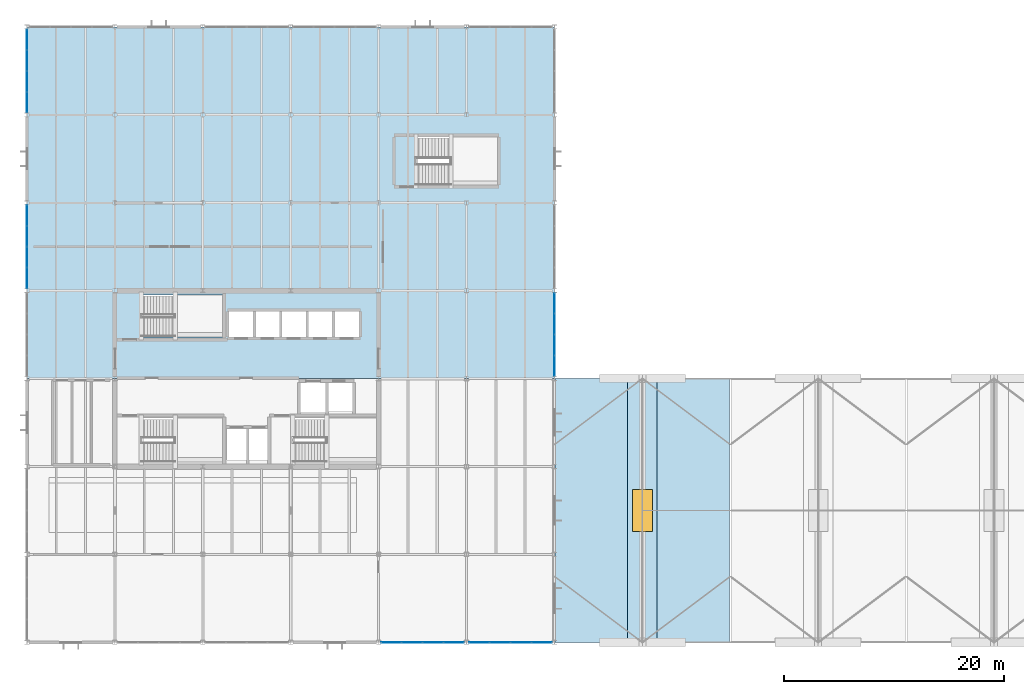
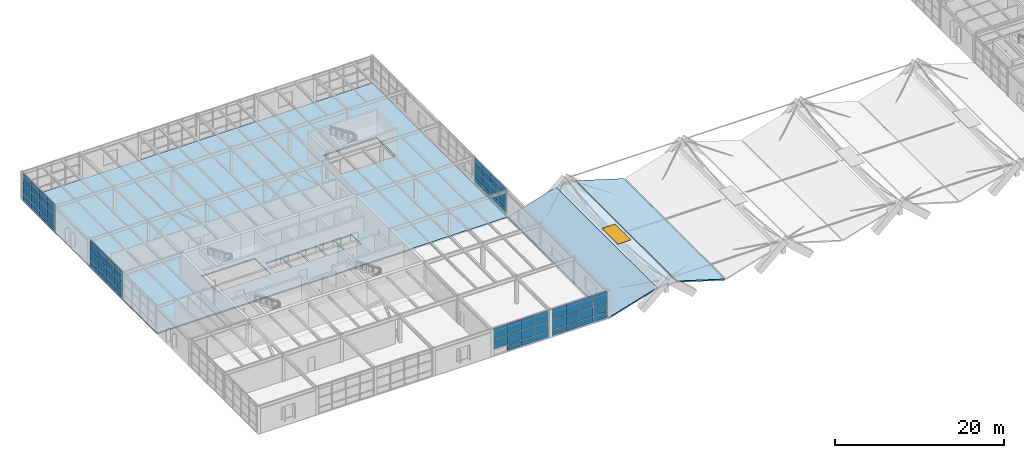
# One storey, part 32 of 50: 59 plates, 4 slabs, 1 window, 1 opening, 5 elements without a shape of their own.
"""IFC4 building model written with IfcOpenShell, lengths in metres."""

from ifc_helpers import new_model, si_unit, direction, frame, origin, origin_2d, place, context, subcontext, project, spatial, polyline, rectangle, outline, extrude, material, layer, layer_set, type_object, element, fill, aggregate, save


model = new_model("IFC4")

# Units and contexts
model_context = context("Model", 3, precision=1e-05, world=origin(), true_north=direction((0.0, 1.0)))
body_context = subcontext(model_context, "Body", "Model", "MODEL_VIEW")
ifc_project = project(units=[si_unit("LENGTHUNIT", "METRE"), si_unit("AREAUNIT", "SQUARE_METRE"), si_unit("VOLUMEUNIT", "CUBIC_METRE"), si_unit("PLANEANGLEUNIT", "RADIAN"), si_unit("MASSUNIT", "GRAM", prefix="KILO")], contexts=[model_context])

# Site, building, storey
site_placement = place(None, origin())
site = spatial("IfcSite", under=ifc_project, at=site_placement, CompositionType="ELEMENT")
building_placement = place(site_placement, origin())
building = spatial("IfcBuilding", under=site, at=building_placement, Name="Varnela Railside Interchange", CompositionType="ELEMENT")
storey_placement = place(building_placement, frame((0.0, 0.0, 15.39990234375)))
storey = spatial("IfcBuildingStorey", under=building, at=storey_placement, Name="L03", CompositionType="ELEMENT", Elevation=15.39990234375)

# Curtain wall, plates
ifc_material_1 = material(Name="Aluminium 6063-T6", Category="aluminium")
ifc_layer_1 = layer(ifc_material_1, 0.035888671875)
ifc_layer_set_1 = layer_set([ifc_layer_1], Name="Aluminium 6063-T6")
curtain_wall_type = type_object("IfcCurtainWallType", Name="Operations Wing Facade Curtain Wall CW-03", PredefinedType="USERDEFINED", material=ifc_layer_set_1)
curtain_wall_1_placement = place(storey_placement, origin())
curtain_wall_1 = element("IfcCurtainWall", 1, at=curtain_wall_1_placement, inside=storey, type_object=curtain_wall_type, Name="Curtain Wall CW-03 (L03) (CW-076)", ObjectType="CURTAIN WALL", PredefinedType="USERDEFINED")
ifc_material_2 = material(Name="Glass laminated double", Category="glass")
ifc_layer_2 = layer(ifc_material_2, 0.0400390625)
ifc_layer_set_2 = layer_set([ifc_layer_2], Name="Glass laminated double")
plate_type = type_object("IfcPlateType", Name="Acoustic Laminated Vision GL-03", PredefinedType="CURTAIN_PANEL", material=ifc_layer_set_2)
plate_1_placement = place(storey_placement, frame((50.84521484375, 38.0, 0.06005859375), z_axis=(0.0, 0.0, 1.0), x_axis=(-1.0, 0.0, 0.0)))
plate_1 = element("IfcPlate", 2, at=plate_1_placement, type_object=plate_type, Name="CW-03 panel 1.1", PredefinedType="CURTAIN_PANEL", context=body_context, shape_type="SweptSolid", body=[
    extrude(rectangle(XDim=1.816650390625, YDim=0.0400390625, at=origin_2d()), origin(), (0.0, 0.0, 1.0), 0.81005859375),
])
plate_2_placement = place(storey_placement, frame((50.84521484375, 38.0, 0.93017578125), z_axis=(0.0, 0.0, 1.0), x_axis=(-1.0, 0.0, 0.0)))
plate_2 = element("IfcPlate", 3, at=plate_2_placement, type_object=plate_type, Name="CW-03 panel 1.2", PredefinedType="CURTAIN_PANEL", context=body_context, shape_type="SweptSolid", body=[
    extrude(rectangle(XDim=1.816650390625, YDim=0.0400390625, at=origin_2d()), origin(), (0.0, 0.0, 1.0), 1.360107421875),
])
plate_3_placement = place(storey_placement, frame((50.84521484375, 38.0, 2.35009765625), z_axis=(0.0, 0.0, 1.0), x_axis=(-1.0, 0.0, 0.0)))
plate_3 = element("IfcPlate", 4, at=plate_3_placement, type_object=plate_type, Name="CW-03 panel 1.3", PredefinedType="CURTAIN_PANEL", context=body_context, shape_type="SweptSolid", body=[
    extrude(rectangle(XDim=1.816650390625, YDim=0.0400390625, at=origin_2d()), origin(), (0.0, 0.0, 1.0), 1.590087890625),
])
plate_4_placement = place(storey_placement, frame((48.953369140625, 38.0, 0.06005859375), z_axis=(0.0, 0.0, 1.0), x_axis=(-1.0, 0.0, 0.0)))
plate_4 = element("IfcPlate", 5, at=plate_4_placement, type_object=plate_type, Name="CW-03 panel 2.1", PredefinedType="CURTAIN_PANEL", context=body_context, shape_type="SweptSolid", body=[
    extrude(rectangle(XDim=1.8466796875, YDim=0.0400390625, at=origin_2d()), origin(), (0.0, 0.0, 1.0), 0.81005859375),
])
plate_5_placement = place(storey_placement, frame((48.953369140625, 38.0, 0.93017578125), z_axis=(0.0, 0.0, 1.0), x_axis=(-1.0, 0.0, 0.0)))
plate_5 = element("IfcPlate", 6, at=plate_5_placement, type_object=plate_type, Name="CW-03 panel 2.2", PredefinedType="CURTAIN_PANEL", context=body_context, shape_type="SweptSolid", body=[
    extrude(rectangle(XDim=1.8466796875, YDim=0.0400390625, at=origin_2d()), origin(), (0.0, 0.0, 1.0), 1.360107421875),
])
plate_6_placement = place(storey_placement, frame((48.953369140625, 38.0, 2.35009765625), z_axis=(0.0, 0.0, 1.0), x_axis=(-1.0, 0.0, 0.0)))
plate_6 = element("IfcPlate", 7, at=plate_6_placement, type_object=plate_type, Name="CW-03 panel 2.3", PredefinedType="CURTAIN_PANEL", context=body_context, shape_type="SweptSolid", body=[
    extrude(rectangle(XDim=1.8466796875, YDim=0.0400390625, at=origin_2d()), origin(), (0.0, 0.0, 1.0), 1.590087890625),
])
plate_7_placement = place(storey_placement, frame((47.046630859375, 38.0, 0.06005859375), z_axis=(0.0, 0.0, 1.0), x_axis=(-1.0, 0.0, 0.0)))
plate_7 = element("IfcPlate", 8, at=plate_7_placement, type_object=plate_type, Name="CW-03 panel 3.1", PredefinedType="CURTAIN_PANEL", context=body_context, shape_type="SweptSolid", body=[
    extrude(rectangle(XDim=1.8466796875, YDim=0.0400390625, at=origin_2d()), origin(), (0.0, 0.0, 1.0), 0.81005859375),
])
plate_8_placement = place(storey_placement, frame((47.046630859375, 38.0, 0.93017578125), z_axis=(0.0, 0.0, 1.0), x_axis=(-1.0, 0.0, 0.0)))
plate_8 = element("IfcPlate", 9, at=plate_8_placement, type_object=plate_type, Name="CW-03 panel 3.2", PredefinedType="CURTAIN_PANEL", context=body_context, shape_type="SweptSolid", body=[
    extrude(rectangle(XDim=1.8466796875, YDim=0.0400390625, at=origin_2d()), origin(), (0.0, 0.0, 1.0), 1.360107421875),
])
plate_9_placement = place(storey_placement, frame((47.046630859375, 38.0, 2.35009765625), z_axis=(0.0, 0.0, 1.0), x_axis=(-1.0, 0.0, 0.0)))
plate_9 = element("IfcPlate", 10, at=plate_9_placement, type_object=plate_type, Name="CW-03 panel 3.3", PredefinedType="CURTAIN_PANEL", context=body_context, shape_type="SweptSolid", body=[
    extrude(rectangle(XDim=1.8466796875, YDim=0.0400390625, at=origin_2d()), origin(), (0.0, 0.0, 1.0), 1.590087890625),
])
plate_10_placement = place(storey_placement, frame((45.15478515625, 38.0, 0.06005859375), z_axis=(0.0, 0.0, 1.0), x_axis=(-1.0, 0.0, 0.0)))
plate_10 = element("IfcPlate", 11, at=plate_10_placement, type_object=plate_type, Name="CW-03 panel 4.1", PredefinedType="CURTAIN_PANEL", context=body_context, shape_type="SweptSolid", body=[
    extrude(rectangle(XDim=1.816650390625, YDim=0.0400390625, at=origin_2d()), origin(), (0.0, 0.0, 1.0), 0.81005859375),
])
plate_11_placement = place(storey_placement, frame((45.15478515625, 38.0, 0.93017578125), z_axis=(0.0, 0.0, 1.0), x_axis=(-1.0, 0.0, 0.0)))
plate_11 = element("IfcPlate", 12, at=plate_11_placement, type_object=plate_type, Name="CW-03 panel 4.2", PredefinedType="CURTAIN_PANEL", context=body_context, shape_type="SweptSolid", body=[
    extrude(rectangle(XDim=1.816650390625, YDim=0.0400390625, at=origin_2d()), origin(), (0.0, 0.0, 1.0), 1.360107421875),
])
plate_12_placement = place(storey_placement, frame((45.15478515625, 38.0, 2.35009765625), z_axis=(0.0, 0.0, 1.0), x_axis=(-1.0, 0.0, 0.0)))
plate_12 = element("IfcPlate", 13, at=plate_12_placement, type_object=plate_type, Name="CW-03 panel 4.3", PredefinedType="CURTAIN_PANEL", context=body_context, shape_type="SweptSolid", body=[
    extrude(rectangle(XDim=1.816650390625, YDim=0.0400390625, at=origin_2d()), origin(), (0.0, 0.0, 1.0), 1.590087890625),
])
aggregate(curtain_wall_1, [plate_1, plate_2, plate_3, plate_4, plate_5, plate_6, plate_7, plate_8, plate_9, plate_10, plate_11, plate_12])

curtain_wall_2_placement = place(storey_placement, origin())
curtain_wall_2 = element("IfcCurtainWall", 14, at=curtain_wall_2_placement, inside=storey, type_object=curtain_wall_type, Name="Curtain Wall CW-03 (L03) (CW-084)", ObjectType="CURTAIN WALL", PredefinedType="USERDEFINED")
plate_13_placement = place(storey_placement, frame((42.84521484375, 38.0, 0.06005859375), z_axis=(0.0, 0.0, 1.0), x_axis=(-1.0, 0.0, 0.0)))
plate_13 = element("IfcPlate", 15, at=plate_13_placement, type_object=plate_type, Name="CW-03 panel 1.1", PredefinedType="CURTAIN_PANEL", context=body_context, shape_type="SweptSolid", body=[
    extrude(rectangle(XDim=1.816650390625, YDim=0.0400390625, at=origin_2d()), origin(), (0.0, 0.0, 1.0), 0.81005859375),
])
plate_14_placement = place(storey_placement, frame((42.84521484375, 38.0, 0.93017578125), z_axis=(0.0, 0.0, 1.0), x_axis=(-1.0, 0.0, 0.0)))
plate_14 = element("IfcPlate", 16, at=plate_14_placement, type_object=plate_type, Name="CW-03 panel 1.2", PredefinedType="CURTAIN_PANEL", context=body_context, shape_type="SweptSolid", body=[
    extrude(rectangle(XDim=1.816650390625, YDim=0.0400390625, at=origin_2d()), origin(), (0.0, 0.0, 1.0), 1.360107421875),
])
plate_15_placement = place(storey_placement, frame((42.84521484375, 38.0, 2.35009765625), z_axis=(0.0, 0.0, 1.0), x_axis=(-1.0, 0.0, 0.0)))
plate_15 = element("IfcPlate", 17, at=plate_15_placement, type_object=plate_type, Name="CW-03 panel 1.3", PredefinedType="CURTAIN_PANEL", context=body_context, shape_type="SweptSolid", body=[
    extrude(rectangle(XDim=1.816650390625, YDim=0.0400390625, at=origin_2d()), origin(), (0.0, 0.0, 1.0), 1.590087890625),
])
plate_16_placement = place(storey_placement, frame((40.953369140625, 38.0, 0.06005859375), z_axis=(0.0, 0.0, 1.0), x_axis=(-1.0, 0.0, 0.0)))
plate_16 = element("IfcPlate", 18, at=plate_16_placement, type_object=plate_type, Name="CW-03 panel 2.1", PredefinedType="CURTAIN_PANEL", context=body_context, shape_type="SweptSolid", body=[
    extrude(rectangle(XDim=1.8466796875, YDim=0.0400390625, at=origin_2d()), origin(), (0.0, 0.0, 1.0), 0.81005859375),
])
plate_17_placement = place(storey_placement, frame((40.953369140625, 38.0, 0.93017578125), z_axis=(0.0, 0.0, 1.0), x_axis=(-1.0, 0.0, 0.0)))
plate_17 = element("IfcPlate", 19, at=plate_17_placement, type_object=plate_type, Name="CW-03 panel 2.2", PredefinedType="CURTAIN_PANEL", context=body_context, shape_type="SweptSolid", body=[
    extrude(rectangle(XDim=1.8466796875, YDim=0.0400390625, at=origin_2d()), origin(), (0.0, 0.0, 1.0), 1.360107421875),
])
plate_18_placement = place(storey_placement, frame((40.953369140625, 38.0, 2.35009765625), z_axis=(0.0, 0.0, 1.0), x_axis=(-1.0, 0.0, 0.0)))
plate_18 = element("IfcPlate", 20, at=plate_18_placement, type_object=plate_type, Name="CW-03 panel 2.3", PredefinedType="CURTAIN_PANEL", context=body_context, shape_type="SweptSolid", body=[
    extrude(rectangle(XDim=1.8466796875, YDim=0.0400390625, at=origin_2d()), origin(), (0.0, 0.0, 1.0), 1.590087890625),
])
plate_19_placement = place(storey_placement, frame((39.046630859375, 38.0, 0.06005859375), z_axis=(0.0, 0.0, 1.0), x_axis=(-1.0, 0.0, 0.0)))
plate_19 = element("IfcPlate", 21, at=plate_19_placement, type_object=plate_type, Name="CW-03 panel 3.1", PredefinedType="CURTAIN_PANEL", context=body_context, shape_type="SweptSolid", body=[
    extrude(rectangle(XDim=1.8466796875, YDim=0.0400390625, at=origin_2d()), origin(), (0.0, 0.0, 1.0), 0.81005859375),
])
plate_20_placement = place(storey_placement, frame((39.046630859375, 38.0, 0.93017578125), z_axis=(0.0, 0.0, 1.0), x_axis=(-1.0, 0.0, 0.0)))
plate_20 = element("IfcPlate", 22, at=plate_20_placement, type_object=plate_type, Name="CW-03 panel 3.2", PredefinedType="CURTAIN_PANEL", context=body_context, shape_type="SweptSolid", body=[
    extrude(rectangle(XDim=1.8466796875, YDim=0.0400390625, at=origin_2d()), origin(), (0.0, 0.0, 1.0), 1.360107421875),
])
plate_21_placement = place(storey_placement, frame((39.046630859375, 38.0, 2.35009765625), z_axis=(0.0, 0.0, 1.0), x_axis=(-1.0, 0.0, 0.0)))
plate_21 = element("IfcPlate", 23, at=plate_21_placement, type_object=plate_type, Name="CW-03 panel 3.3", PredefinedType="CURTAIN_PANEL", context=body_context, shape_type="SweptSolid", body=[
    extrude(rectangle(XDim=1.8466796875, YDim=0.0400390625, at=origin_2d()), origin(), (0.0, 0.0, 1.0), 1.590087890625),
])
plate_22_placement = place(storey_placement, frame((37.15478515625, 38.0, 0.93017578125), z_axis=(0.0, 0.0, 1.0), x_axis=(-1.0, 0.0, 0.0)))
plate_22 = element("IfcPlate", 24, at=plate_22_placement, type_object=plate_type, Name="CW-03 panel 4.2", PredefinedType="CURTAIN_PANEL", context=body_context, shape_type="SweptSolid", body=[
    extrude(rectangle(XDim=1.816650390625, YDim=0.0400390625, at=origin_2d()), origin(), (0.0, 0.0, 1.0), 1.360107421875),
])
plate_23_placement = place(storey_placement, frame((37.15478515625, 38.0, 2.35009765625), z_axis=(0.0, 0.0, 1.0), x_axis=(-1.0, 0.0, 0.0)))
plate_23 = element("IfcPlate", 25, at=plate_23_placement, type_object=plate_type, Name="CW-03 panel 4.3", PredefinedType="CURTAIN_PANEL", context=body_context, shape_type="SweptSolid", body=[
    extrude(rectangle(XDim=1.816650390625, YDim=0.0400390625, at=origin_2d()), origin(), (0.0, 0.0, 1.0), 1.590087890625),
])
aggregate(curtain_wall_2, [plate_13, plate_14, plate_15, plate_16, plate_17, plate_18, plate_19, plate_20, plate_21, plate_22, plate_23])

curtain_wall_3_placement = place(storey_placement, origin())
curtain_wall_3 = element("IfcCurtainWall", 26, at=curtain_wall_3_placement, inside=storey, type_object=curtain_wall_type, Name="Curtain Wall CW-03 (L03) (CW-078)", ObjectType="CURTAIN WALL", PredefinedType="USERDEFINED")
plate_24_placement = place(storey_placement, frame((4.0, 71.153076171875, 0.06005859375), z_axis=(0.0, 0.0, 1.0), x_axis=(0.0, 1.0, 0.0)))
plate_24 = element("IfcPlate", 27, at=plate_24_placement, type_object=plate_type, Name="CW-03 panel 1.1", PredefinedType="CURTAIN_PANEL", context=body_context, shape_type="SweptSolid", body=[
    extrude(rectangle(XDim=1.818115234375, YDim=0.0400390625, at=origin_2d()), origin(), (0.0, 0.0, 1.0), 0.81005859375),
])
plate_25_placement = place(storey_placement, frame((4.0, 71.153076171875, 0.93017578125), z_axis=(0.0, 0.0, 1.0), x_axis=(0.0, 1.0, 0.0)))
plate_25 = element("IfcPlate", 28, at=plate_25_placement, type_object=plate_type, Name="CW-03 panel 1.2", PredefinedType="CURTAIN_PANEL", context=body_context, shape_type="SweptSolid", body=[
    extrude(rectangle(XDim=1.818115234375, YDim=0.0400390625, at=origin_2d()), origin(), (0.0, 0.0, 1.0), 1.360107421875),
])
plate_26_placement = place(storey_placement, frame((4.0, 71.153076171875, 2.35009765625), z_axis=(0.0, 0.0, 1.0), x_axis=(0.0, 1.0, 0.0)))
plate_26 = element("IfcPlate", 29, at=plate_26_placement, type_object=plate_type, Name="CW-03 panel 1.3", PredefinedType="CURTAIN_PANEL", context=body_context, shape_type="SweptSolid", body=[
    extrude(rectangle(XDim=1.818115234375, YDim=0.0400390625, at=origin_2d()), origin(), (0.0, 0.0, 1.0), 1.590087890625),
])
plate_27_placement = place(storey_placement, frame((4.0, 73.0458984375, 0.06005859375), z_axis=(0.0, 0.0, 1.0), x_axis=(0.0, 1.0, 0.0)))
plate_27 = element("IfcPlate", 30, at=plate_27_placement, type_object=plate_type, Name="CW-03 panel 2.1", PredefinedType="CURTAIN_PANEL", context=body_context, shape_type="SweptSolid", body=[
    extrude(rectangle(XDim=1.847900390625, YDim=0.0400390625, at=origin_2d()), origin(), (0.0, 0.0, 1.0), 0.81005859375),
])
plate_28_placement = place(storey_placement, frame((4.0, 73.0458984375, 0.93017578125), z_axis=(0.0, 0.0, 1.0), x_axis=(0.0, 1.0, 0.0)))
plate_28 = element("IfcPlate", 31, at=plate_28_placement, type_object=plate_type, Name="CW-03 panel 2.2", PredefinedType="CURTAIN_PANEL", context=body_context, shape_type="SweptSolid", body=[
    extrude(rectangle(XDim=1.847900390625, YDim=0.0400390625, at=origin_2d()), origin(), (0.0, 0.0, 1.0), 1.360107421875),
])
plate_29_placement = place(storey_placement, frame((4.0, 73.0458984375, 2.35009765625), z_axis=(0.0, 0.0, 1.0), x_axis=(0.0, 1.0, 0.0)))
plate_29 = element("IfcPlate", 32, at=plate_29_placement, type_object=plate_type, Name="CW-03 panel 2.3", PredefinedType="CURTAIN_PANEL", context=body_context, shape_type="SweptSolid", body=[
    extrude(rectangle(XDim=1.847900390625, YDim=0.0400390625, at=origin_2d()), origin(), (0.0, 0.0, 1.0), 1.590087890625),
])
plate_30_placement = place(storey_placement, frame((4.0, 74.9541015625, 0.06005859375), z_axis=(0.0, 0.0, 1.0), x_axis=(0.0, 1.0, 0.0)))
plate_30 = element("IfcPlate", 33, at=plate_30_placement, type_object=plate_type, Name="CW-03 panel 3.1", PredefinedType="CURTAIN_PANEL", context=body_context, shape_type="SweptSolid", body=[
    extrude(rectangle(XDim=1.847900390625, YDim=0.0400390625, at=origin_2d()), origin(), (0.0, 0.0, 1.0), 0.81005859375),
])
plate_31_placement = place(storey_placement, frame((4.0, 74.9541015625, 0.93017578125), z_axis=(0.0, 0.0, 1.0), x_axis=(0.0, 1.0, 0.0)))
plate_31 = element("IfcPlate", 34, at=plate_31_placement, type_object=plate_type, Name="CW-03 panel 3.2", PredefinedType="CURTAIN_PANEL", context=body_context, shape_type="SweptSolid", body=[
    extrude(rectangle(XDim=1.847900390625, YDim=0.0400390625, at=origin_2d()), origin(), (0.0, 0.0, 1.0), 1.360107421875),
])
plate_32_placement = place(storey_placement, frame((4.0, 74.9541015625, 2.35009765625), z_axis=(0.0, 0.0, 1.0), x_axis=(0.0, 1.0, 0.0)))
plate_32 = element("IfcPlate", 35, at=plate_32_placement, type_object=plate_type, Name="CW-03 panel 3.3", PredefinedType="CURTAIN_PANEL", context=body_context, shape_type="SweptSolid", body=[
    extrude(rectangle(XDim=1.847900390625, YDim=0.0400390625, at=origin_2d()), origin(), (0.0, 0.0, 1.0), 1.590087890625),
])
plate_33_placement = place(storey_placement, frame((4.0, 76.846923828125, 0.06005859375), z_axis=(0.0, 0.0, 1.0), x_axis=(0.0, 1.0, 0.0)))
plate_33 = element("IfcPlate", 36, at=plate_33_placement, type_object=plate_type, Name="CW-03 panel 4.1", PredefinedType="CURTAIN_PANEL", context=body_context, shape_type="SweptSolid", body=[
    extrude(rectangle(XDim=1.818115234375, YDim=0.0400390625, at=origin_2d()), origin(), (0.0, 0.0, 1.0), 0.81005859375),
])
plate_34_placement = place(storey_placement, frame((4.0, 76.846923828125, 0.93017578125), z_axis=(0.0, 0.0, 1.0), x_axis=(0.0, 1.0, 0.0)))
plate_34 = element("IfcPlate", 37, at=plate_34_placement, type_object=plate_type, Name="CW-03 panel 4.2", PredefinedType="CURTAIN_PANEL", context=body_context, shape_type="SweptSolid", body=[
    extrude(rectangle(XDim=1.818115234375, YDim=0.0400390625, at=origin_2d()), origin(), (0.0, 0.0, 1.0), 1.360107421875),
])
plate_35_placement = place(storey_placement, frame((4.0, 76.846923828125, 2.35009765625), z_axis=(0.0, 0.0, 1.0), x_axis=(0.0, 1.0, 0.0)))
plate_35 = element("IfcPlate", 38, at=plate_35_placement, type_object=plate_type, Name="CW-03 panel 4.3", PredefinedType="CURTAIN_PANEL", context=body_context, shape_type="SweptSolid", body=[
    extrude(rectangle(XDim=1.818115234375, YDim=0.0400390625, at=origin_2d()), origin(), (0.0, 0.0, 1.0), 1.590087890625),
])
aggregate(curtain_wall_3, [plate_24, plate_25, plate_26, plate_27, plate_28, plate_29, plate_30, plate_31, plate_32, plate_33, plate_34, plate_35])

curtain_wall_4_placement = place(storey_placement, origin())
curtain_wall_4 = element("IfcCurtainWall", 39, at=curtain_wall_4_placement, inside=storey, type_object=curtain_wall_type, Name="Curtain Wall CW-03 (L03) (CW-079)", ObjectType="CURTAIN WALL", PredefinedType="USERDEFINED")
plate_36_placement = place(storey_placement, frame((4.0, 87.153076171875, 0.06005859375), z_axis=(0.0, 0.0, 1.0), x_axis=(0.0, 1.0, 0.0)))
plate_36 = element("IfcPlate", 40, at=plate_36_placement, type_object=plate_type, Name="CW-03 panel 1.1", PredefinedType="CURTAIN_PANEL", context=body_context, shape_type="SweptSolid", body=[
    extrude(rectangle(XDim=1.818115234375, YDim=0.0400390625, at=origin_2d()), origin(), (0.0, 0.0, 1.0), 0.81005859375),
])
plate_37_placement = place(storey_placement, frame((4.0, 87.153076171875, 0.93017578125), z_axis=(0.0, 0.0, 1.0), x_axis=(0.0, 1.0, 0.0)))
plate_37 = element("IfcPlate", 41, at=plate_37_placement, type_object=plate_type, Name="CW-03 panel 1.2", PredefinedType="CURTAIN_PANEL", context=body_context, shape_type="SweptSolid", body=[
    extrude(rectangle(XDim=1.818115234375, YDim=0.0400390625, at=origin_2d()), origin(), (0.0, 0.0, 1.0), 1.360107421875),
])
plate_38_placement = place(storey_placement, frame((4.0, 87.153076171875, 2.35009765625), z_axis=(0.0, 0.0, 1.0), x_axis=(0.0, 1.0, 0.0)))
plate_38 = element("IfcPlate", 42, at=plate_38_placement, type_object=plate_type, Name="CW-03 panel 1.3", PredefinedType="CURTAIN_PANEL", context=body_context, shape_type="SweptSolid", body=[
    extrude(rectangle(XDim=1.818115234375, YDim=0.0400390625, at=origin_2d()), origin(), (0.0, 0.0, 1.0), 1.590087890625),
])
plate_39_placement = place(storey_placement, frame((4.0, 89.0458984375, 0.06005859375), z_axis=(0.0, 0.0, 1.0), x_axis=(0.0, 1.0, 0.0)))
plate_39 = element("IfcPlate", 43, at=plate_39_placement, type_object=plate_type, Name="CW-03 panel 2.1", PredefinedType="CURTAIN_PANEL", context=body_context, shape_type="SweptSolid", body=[
    extrude(rectangle(XDim=1.847900390625, YDim=0.0400390625, at=origin_2d()), origin(), (0.0, 0.0, 1.0), 0.81005859375),
])
plate_40_placement = place(storey_placement, frame((4.0, 89.0458984375, 0.93017578125), z_axis=(0.0, 0.0, 1.0), x_axis=(0.0, 1.0, 0.0)))
plate_40 = element("IfcPlate", 44, at=plate_40_placement, type_object=plate_type, Name="CW-03 panel 2.2", PredefinedType="CURTAIN_PANEL", context=body_context, shape_type="SweptSolid", body=[
    extrude(rectangle(XDim=1.847900390625, YDim=0.0400390625, at=origin_2d()), origin(), (0.0, 0.0, 1.0), 1.360107421875),
])
plate_41_placement = place(storey_placement, frame((4.0, 89.0458984375, 2.35009765625), z_axis=(0.0, 0.0, 1.0), x_axis=(0.0, 1.0, 0.0)))
plate_41 = element("IfcPlate", 45, at=plate_41_placement, type_object=plate_type, Name="CW-03 panel 2.3", PredefinedType="CURTAIN_PANEL", context=body_context, shape_type="SweptSolid", body=[
    extrude(rectangle(XDim=1.847900390625, YDim=0.0400390625, at=origin_2d()), origin(), (0.0, 0.0, 1.0), 1.590087890625),
])
plate_42_placement = place(storey_placement, frame((4.0, 90.9541015625, 0.06005859375), z_axis=(0.0, 0.0, 1.0), x_axis=(0.0, 1.0, 0.0)))
plate_42 = element("IfcPlate", 46, at=plate_42_placement, type_object=plate_type, Name="CW-03 panel 3.1", PredefinedType="CURTAIN_PANEL", context=body_context, shape_type="SweptSolid", body=[
    extrude(rectangle(XDim=1.847900390625, YDim=0.0400390625, at=origin_2d()), origin(), (0.0, 0.0, 1.0), 0.81005859375),
])
plate_43_placement = place(storey_placement, frame((4.0, 90.9541015625, 0.93017578125), z_axis=(0.0, 0.0, 1.0), x_axis=(0.0, 1.0, 0.0)))
plate_43 = element("IfcPlate", 47, at=plate_43_placement, type_object=plate_type, Name="CW-03 panel 3.2", PredefinedType="CURTAIN_PANEL", context=body_context, shape_type="SweptSolid", body=[
    extrude(rectangle(XDim=1.847900390625, YDim=0.0400390625, at=origin_2d()), origin(), (0.0, 0.0, 1.0), 1.360107421875),
])
plate_44_placement = place(storey_placement, frame((4.0, 90.9541015625, 2.35009765625), z_axis=(0.0, 0.0, 1.0), x_axis=(0.0, 1.0, 0.0)))
plate_44 = element("IfcPlate", 48, at=plate_44_placement, type_object=plate_type, Name="CW-03 panel 3.3", PredefinedType="CURTAIN_PANEL", context=body_context, shape_type="SweptSolid", body=[
    extrude(rectangle(XDim=1.847900390625, YDim=0.0400390625, at=origin_2d()), origin(), (0.0, 0.0, 1.0), 1.590087890625),
])
plate_45_placement = place(storey_placement, frame((4.0, 92.846923828125, 0.06005859375), z_axis=(0.0, 0.0, 1.0), x_axis=(0.0, 1.0, 0.0)))
plate_45 = element("IfcPlate", 49, at=plate_45_placement, type_object=plate_type, Name="CW-03 panel 4.1", PredefinedType="CURTAIN_PANEL", context=body_context, shape_type="SweptSolid", body=[
    extrude(rectangle(XDim=1.818115234375, YDim=0.0400390625, at=origin_2d()), origin(), (0.0, 0.0, 1.0), 0.81005859375),
])
plate_46_placement = place(storey_placement, frame((4.0, 92.846923828125, 0.93017578125), z_axis=(0.0, 0.0, 1.0), x_axis=(0.0, 1.0, 0.0)))
plate_46 = element("IfcPlate", 50, at=plate_46_placement, type_object=plate_type, Name="CW-03 panel 4.2", PredefinedType="CURTAIN_PANEL", context=body_context, shape_type="SweptSolid", body=[
    extrude(rectangle(XDim=1.818115234375, YDim=0.0400390625, at=origin_2d()), origin(), (0.0, 0.0, 1.0), 1.360107421875),
])
plate_47_placement = place(storey_placement, frame((4.0, 92.846923828125, 2.35009765625), z_axis=(0.0, 0.0, 1.0), x_axis=(0.0, 1.0, 0.0)))
plate_47 = element("IfcPlate", 51, at=plate_47_placement, type_object=plate_type, Name="CW-03 panel 4.3", PredefinedType="CURTAIN_PANEL", context=body_context, shape_type="SweptSolid", body=[
    extrude(rectangle(XDim=1.818115234375, YDim=0.0400390625, at=origin_2d()), origin(), (0.0, 0.0, 1.0), 1.590087890625),
])
aggregate(curtain_wall_4, [plate_36, plate_37, plate_38, plate_39, plate_40, plate_41, plate_42, plate_43, plate_44, plate_45, plate_46, plate_47])

curtain_wall_5_placement = place(storey_placement, origin())
curtain_wall_5 = element("IfcCurtainWall", 52, at=curtain_wall_5_placement, inside=storey, type_object=curtain_wall_type, Name="Curtain Wall CW-03 (L03) (CW-087)", ObjectType="CURTAIN WALL", PredefinedType="USERDEFINED")
plate_48_placement = place(storey_placement, frame((52.0, 68.846923828125, 0.06005859375), z_axis=(0.0, 0.0, 1.0), x_axis=(0.0, -1.0, 0.0)))
plate_48 = element("IfcPlate", 53, at=plate_48_placement, type_object=plate_type, Name="CW-03 panel 1.1", PredefinedType="CURTAIN_PANEL", context=body_context, shape_type="SweptSolid", body=[
    extrude(rectangle(XDim=1.818115234375, YDim=0.0400390625, at=origin_2d()), origin(), (0.0, 0.0, 1.0), 0.81005859375),
])
plate_49_placement = place(storey_placement, frame((52.0, 68.846923828125, 0.93017578125), z_axis=(0.0, 0.0, 1.0), x_axis=(0.0, -1.0, 0.0)))
plate_49 = element("IfcPlate", 54, at=plate_49_placement, type_object=plate_type, Name="CW-03 panel 1.2", PredefinedType="CURTAIN_PANEL", context=body_context, shape_type="SweptSolid", body=[
    extrude(rectangle(XDim=1.818115234375, YDim=0.0400390625, at=origin_2d()), origin(), (0.0, 0.0, 1.0), 1.360107421875),
])
plate_50_placement = place(storey_placement, frame((52.0, 68.846923828125, 2.35009765625), z_axis=(0.0, 0.0, 1.0), x_axis=(0.0, -1.0, 0.0)))
plate_50 = element("IfcPlate", 55, at=plate_50_placement, type_object=plate_type, Name="CW-03 panel 1.3", PredefinedType="CURTAIN_PANEL", context=body_context, shape_type="SweptSolid", body=[
    extrude(rectangle(XDim=1.818115234375, YDim=0.0400390625, at=origin_2d()), origin(), (0.0, 0.0, 1.0), 1.590087890625),
])
plate_51_placement = place(storey_placement, frame((52.0, 66.9541015625, 0.06005859375), z_axis=(0.0, 0.0, 1.0), x_axis=(0.0, -1.0, 0.0)))
plate_51 = element("IfcPlate", 56, at=plate_51_placement, type_object=plate_type, Name="CW-03 panel 2.1", PredefinedType="CURTAIN_PANEL", context=body_context, shape_type="SweptSolid", body=[
    extrude(rectangle(XDim=1.847900390625, YDim=0.0400390625, at=origin_2d()), origin(), (0.0, 0.0, 1.0), 0.81005859375),
])
plate_52_placement = place(storey_placement, frame((52.0, 66.9541015625, 0.93017578125), z_axis=(0.0, 0.0, 1.0), x_axis=(0.0, -1.0, 0.0)))
plate_52 = element("IfcPlate", 57, at=plate_52_placement, type_object=plate_type, Name="CW-03 panel 2.2", PredefinedType="CURTAIN_PANEL", context=body_context, shape_type="SweptSolid", body=[
    extrude(rectangle(XDim=1.847900390625, YDim=0.0400390625, at=origin_2d()), origin(), (0.0, 0.0, 1.0), 1.360107421875),
])
plate_53_placement = place(storey_placement, frame((52.0, 66.9541015625, 2.35009765625), z_axis=(0.0, 0.0, 1.0), x_axis=(0.0, -1.0, 0.0)))
plate_53 = element("IfcPlate", 58, at=plate_53_placement, type_object=plate_type, Name="CW-03 panel 2.3", PredefinedType="CURTAIN_PANEL", context=body_context, shape_type="SweptSolid", body=[
    extrude(rectangle(XDim=1.847900390625, YDim=0.0400390625, at=origin_2d()), origin(), (0.0, 0.0, 1.0), 1.590087890625),
])
plate_54_placement = place(storey_placement, frame((52.0, 65.0458984375, 0.06005859375), z_axis=(0.0, 0.0, 1.0), x_axis=(0.0, -1.0, 0.0)))
plate_54 = element("IfcPlate", 59, at=plate_54_placement, type_object=plate_type, Name="CW-03 panel 3.1", PredefinedType="CURTAIN_PANEL", context=body_context, shape_type="SweptSolid", body=[
    extrude(rectangle(XDim=1.847900390625, YDim=0.0400390625, at=origin_2d()), origin(), (0.0, 0.0, 1.0), 0.81005859375),
])
plate_55_placement = place(storey_placement, frame((52.0, 65.0458984375, 0.93017578125), z_axis=(0.0, 0.0, 1.0), x_axis=(0.0, -1.0, 0.0)))
plate_55 = element("IfcPlate", 60, at=plate_55_placement, type_object=plate_type, Name="CW-03 panel 3.2", PredefinedType="CURTAIN_PANEL", context=body_context, shape_type="SweptSolid", body=[
    extrude(rectangle(XDim=1.847900390625, YDim=0.0400390625, at=origin_2d()), origin(), (0.0, 0.0, 1.0), 1.360107421875),
])
plate_56_placement = place(storey_placement, frame((52.0, 65.0458984375, 2.35009765625), z_axis=(0.0, 0.0, 1.0), x_axis=(0.0, -1.0, 0.0)))
plate_56 = element("IfcPlate", 61, at=plate_56_placement, type_object=plate_type, Name="CW-03 panel 3.3", PredefinedType="CURTAIN_PANEL", context=body_context, shape_type="SweptSolid", body=[
    extrude(rectangle(XDim=1.847900390625, YDim=0.0400390625, at=origin_2d()), origin(), (0.0, 0.0, 1.0), 1.590087890625),
])
plate_57_placement = place(storey_placement, frame((52.0, 63.153076171875, 0.06005859375), z_axis=(0.0, 0.0, 1.0), x_axis=(0.0, -1.0, 0.0)))
plate_57 = element("IfcPlate", 62, at=plate_57_placement, type_object=plate_type, Name="CW-03 panel 4.1", PredefinedType="CURTAIN_PANEL", context=body_context, shape_type="SweptSolid", body=[
    extrude(rectangle(XDim=1.818115234375, YDim=0.0400390625, at=origin_2d()), origin(), (0.0, 0.0, 1.0), 0.81005859375),
])
plate_58_placement = place(storey_placement, frame((52.0, 63.153076171875, 0.93017578125), z_axis=(0.0, 0.0, 1.0), x_axis=(0.0, -1.0, 0.0)))
plate_58 = element("IfcPlate", 63, at=plate_58_placement, type_object=plate_type, Name="CW-03 panel 4.2", PredefinedType="CURTAIN_PANEL", context=body_context, shape_type="SweptSolid", body=[
    extrude(rectangle(XDim=1.818115234375, YDim=0.0400390625, at=origin_2d()), origin(), (0.0, 0.0, 1.0), 1.360107421875),
])
plate_59_placement = place(storey_placement, frame((52.0, 63.153076171875, 2.35009765625), z_axis=(0.0, 0.0, 1.0), x_axis=(0.0, -1.0, 0.0)))
plate_59 = element("IfcPlate", 64, at=plate_59_placement, type_object=plate_type, Name="CW-03 panel 4.3", PredefinedType="CURTAIN_PANEL", context=body_context, shape_type="SweptSolid", body=[
    extrude(rectangle(XDim=1.818115234375, YDim=0.0400390625, at=origin_2d()), origin(), (0.0, 0.0, 1.0), 1.590087890625),
])
aggregate(curtain_wall_5, [plate_48, plate_49, plate_50, plate_51, plate_52, plate_53, plate_54, plate_55, plate_56, plate_57, plate_58, plate_59])

# Slabs
ifc_material_3 = material(Name="Concrete C40", Category="concrete")
ifc_layer_3 = layer(ifc_material_3, 0.179931640625)
ifc_layer_set_3 = layer_set([ifc_layer_3], Name="Concrete C40")
slab_type_1 = type_object("IfcSlabType", Name="Cable-Net Concourse Faceted Roof Panel CN-01", PredefinedType="ROOF", material=ifc_layer_set_3)
for number, where, z_axis, x_axis, name in (
    (65, (52.06005859375, 38.0, -0.014892578125), (-0.291341852088, 0.0, 0.956619007349), (0.956619007349, 0.0, 0.291341852088), "Cable-Net Concourse Faceted Roof Panel CN-01 (L03) (SL-0163)"),
    (66, (61.340087890625, 38.0, 1.9951171875), (0.291341852088, 0.0, 0.956619007349), (0.956619007349, 0.0, -0.291341852088), "Cable-Net Concourse Faceted Roof Panel CN-01 (L03) (SL-0164)"),
):
    element("IfcSlab", number, at=place(storey_placement, frame(where, z_axis=z_axis, x_axis=x_axis)), inside=storey, type_object=slab_type_1, Name=name, PredefinedType="ROOF", context=body_context, shape_type="SweptSolid", body=[
        extrude(outline(polyline([(0.0, 0.0), (6.89914528660004, 0.0), (6.89914528660004, 24.0), (0.0, 24.0), (0.0, 0.0)])), origin(), (0.0, 0.0, -1.0), 0.179931640625),
    ])
ifc_layer_4 = layer(ifc_material_3, 0.199951171875)
ifc_layer_set_4 = layer_set([ifc_layer_4], Name="Concrete C40")
slab_type_2 = type_object("IfcSlabType", Name="Library & Canteen Composite Slab SL-200A", PredefinedType="FLOOR", material=ifc_layer_set_4)
slab_1_placement = place(storey_placement, frame((0.0, 0.0, -0.199951171875)))
element("IfcSlab", 67, at=slab_1_placement, inside=storey, type_object=slab_type_2, Name="Library & Canteen Composite Slab SL-200A (L03) (SL-0162)", PredefinedType="FLOOR", context=body_context, shape_type="SweptSolid", body=[
    extrude(outline(polyline([(4.0, 62.0), (52.0, 62.0), (52.0, 94.0), (4.0, 94.0), (4.0, 62.0)]), holes=[polyline([(14.429931640625, 65.800048828125), (21.800048828125, 65.800048828125), (21.800048828125, 69.60009765625), (14.429931640625, 69.60009765625), (14.429931640625, 65.800048828125)]), polyline([(39.429931640625, 79.60009765625), (46.800048828125, 79.60009765625), (46.800048828125, 84.0), (39.429931640625, 84.0), (39.429931640625, 79.60009765625)]), polyline([(22.39990234375, 65.800048828125), (24.60009765625, 65.800048828125), (24.60009765625, 68.10009765625), (22.39990234375, 68.10009765625), (22.39990234375, 65.800048828125)]), polyline([(24.800048828125, 65.800048828125), (27.0, 65.800048828125), (27.0, 68.10009765625), (24.800048828125, 68.10009765625), (24.800048828125, 65.800048828125)]), polyline([(27.199951171875, 65.800048828125), (29.39990234375, 65.800048828125), (29.39990234375, 68.10009765625), (27.199951171875, 68.10009765625), (27.199951171875, 65.800048828125)]), polyline([(29.60009765625, 65.800048828125), (31.800048828125, 65.800048828125), (31.800048828125, 68.10009765625), (29.60009765625, 68.10009765625), (29.60009765625, 65.800048828125)]), polyline([(32.0, 65.800048828125), (34.199951171875, 65.800048828125), (34.199951171875, 68.10009765625), (32.0, 68.10009765625), (32.0, 65.800048828125)])]), origin(), (0.0, 0.0, 1.0), 0.199951171875),
])

# Slab, opening, window
ifc_layer_5 = layer(ifc_material_3, 0.219970703125)
ifc_layer_set_5 = layer_set([ifc_layer_5], Name="Concrete C40")
slab_type_3 = type_object("IfcSlabType", Name="Maintenance Hatch Roof Slab SL-RF", PredefinedType="ROOF", material=ifc_layer_set_5)
slab_2_placement = place(storey_placement, frame((0.0, 0.0, 1.795166015625)))
slab_2 = element("IfcSlab", 68, at=slab_2_placement, inside=storey, type_object=slab_type_3, Name="Maintenance Hatch Roof Slab SL-RF (L03) (SL-0156)", PredefinedType="ROOF", context=body_context, shape_type="SweptSolid", body=[
    extrude(outline(polyline([(58.659912109375, 38.0), (61.340087890625, 38.0), (61.340087890625, 62.0), (58.659912109375, 62.0), (58.659912109375, 38.0)]), holes=[polyline([(59.10009765625, 48.10009765625), (60.89990234375, 48.10009765625), (60.89990234375, 51.89990234375), (59.10009765625, 51.89990234375), (59.10009765625, 48.10009765625)])]), origin(), (0.0, 0.0, 1.0), 0.199951171875),
])
opening_placement = place(slab_2_placement, frame((60.0, 50.0, -0.010009765625)))
opening = element("IfcOpeningElement", 69, at=opening_placement, cuts=slab_2, Name="Opening SK-C1", PredefinedType="OPENING", context=body_context, shape_type="SweptSolid", body=[
    extrude(rectangle(XDim=1.800048828125, YDim=3.800048828125, at=origin_2d()), origin(), (0.0, 0.0, 1.0), 0.219970703125),
])
window_type = type_object("IfcWindowType", Name="Concourse Cable-Net Skylight SK-02", PartitioningType="SINGLE_PANEL", PredefinedType="SKYLIGHT", material=ifc_material_2)
window_placement = place(slab_2_placement, frame((60.0, 50.0, 0.14990234375)))
window = element("IfcWindow", 70, at=window_placement, inside=storey, type_object=window_type, Name="Skylight SK-C1", OverallHeight=3.800048828125, OverallWidth=1.800048828125, PartitioningType="SINGLE_PANEL", PredefinedType="SKYLIGHT", context=body_context, shape_type="SweptSolid", body=[
    extrude(rectangle(XDim=1.800048828125, YDim=3.800048828125, at=origin_2d()), origin(), (0.0, 0.0, 1.0), 0.050048828125),
])
fill(opening, window)

save(model, "model.ifc")
